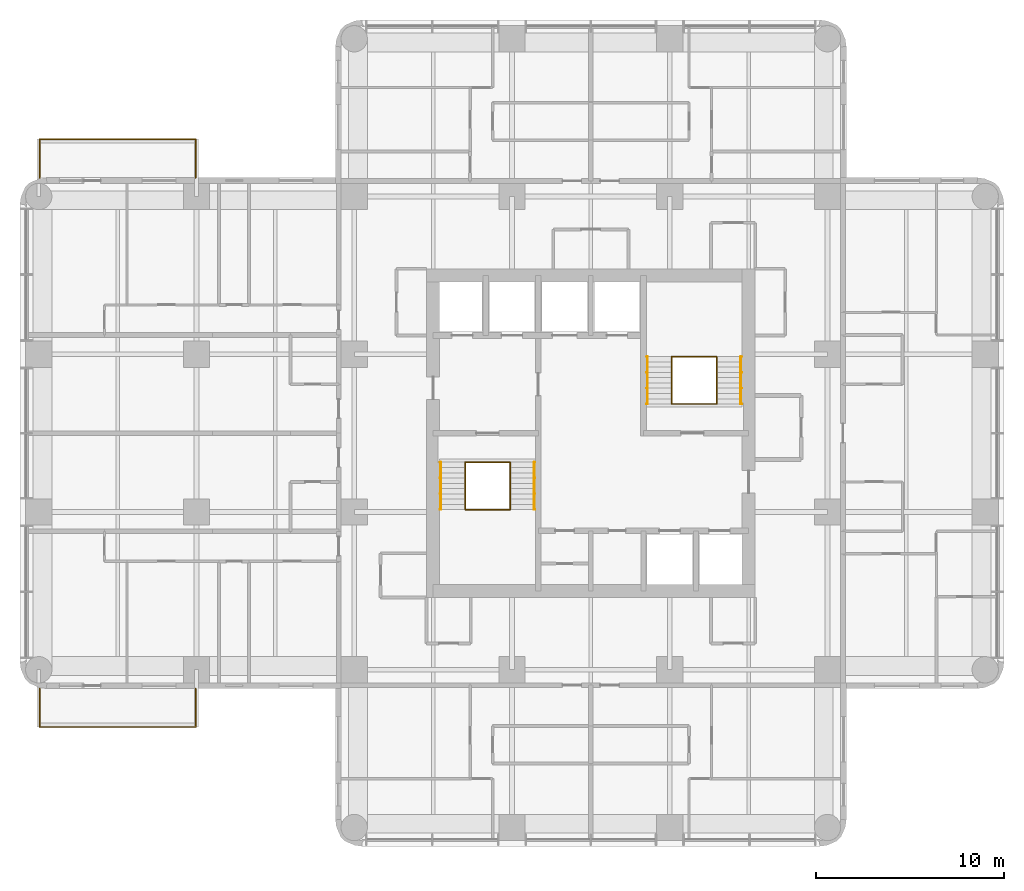
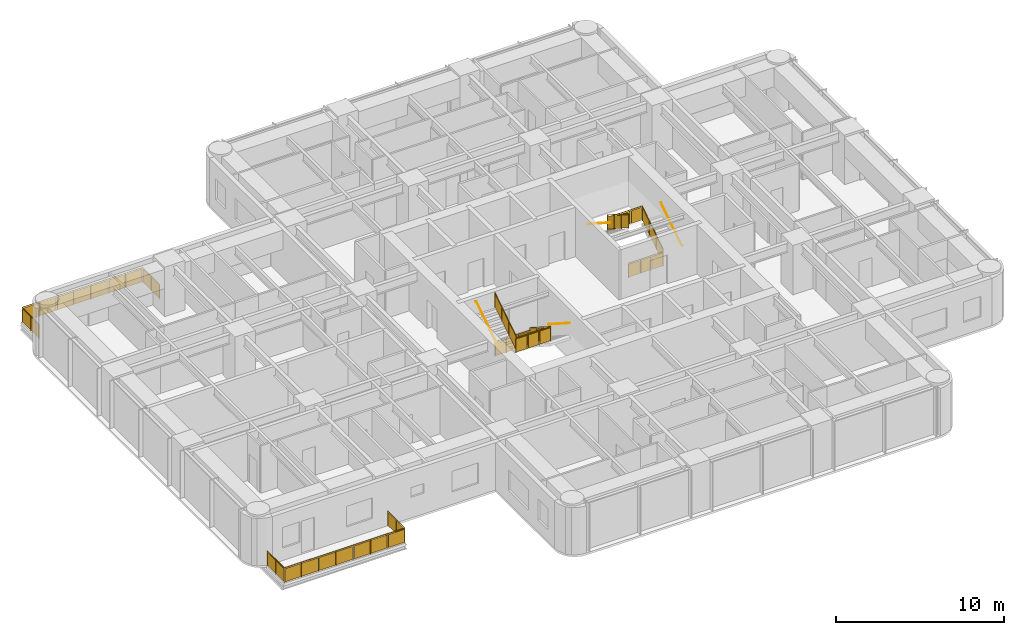
# One storey, part 11 of 11: 14 railings.
"""IFC4 building model written with IfcOpenShell, lengths in metres."""

import ifcopenshell
import ifcopenshell.guid

model = None  # the IFC model being written
_history = None  # IfcOwnerHistory: only IFC2X3 demands one
_inside = {}  # id of a spatial element -> (the spatial element, [elements in it])
_under = {}  # id of a project, library or spatial element -> (it, [spatial elements below it])
_declared = {}  # id of a project -> (the project, [libraries it declares])
_typed = {}  # id of a type object -> (the type object, [elements of that type])
_made_of = {}  # id of a material, layer set ... -> (it, [elements and type objects made of it])


def new_model(schema):
    """Start an empty IFC model of exactly this schema.

    Asked for "IFC4X3", IfcOpenShell would pick the latest addendum, in which some entities
    have other attributes; the version numbers below select the first issue.
    IFC2X3 requires an IfcOwnerHistory on every rooted entity: one is made here for all.
    """
    global model, _history
    if schema == "IFC4X3":
        model = ifcopenshell.file(schema_version=(4, 3, 0, 0))
    else:
        model = ifcopenshell.file(schema=schema)
    _inside.clear()
    _under.clear()
    _declared.clear()
    _typed.clear()
    _made_of.clear()
    _history = None
    if model.schema == "IFC2X3":
        org = make("IfcOrganization", Name="unknown")
        user = make(
            "IfcPersonAndOrganization",
            ThePerson=make("IfcPerson", FamilyName="unknown"),
            TheOrganization=org,
        )
        app = make(
            "IfcApplication",
            ApplicationDeveloper=org,
            Version="unknown",
            ApplicationFullName="unknown",
            ApplicationIdentifier="unknown",
        )
        _history = make(
            "IfcOwnerHistory",
            OwningUser=user,
            OwningApplication=app,
            ChangeAction="ADDED",
            CreationDate=0,
        )
    return model


def make(cls, **values):
    """One entity of the class cls with the attributes given. An attribute that is None is left unset."""
    return model.create_entity(
        cls, **{name: value for name, value in values.items() if value is not None}
    )


def rooted(cls, **values):
    """An entity with a GlobalId (a new one), such as an element, a storey or a relation."""
    return make(cls, GlobalId=ifcopenshell.guid.new(), OwnerHistory=_history, **values)


def si_unit(unit_type, name, prefix=None):
    """IfcSIUnit, for example si_unit("LENGTHUNIT", "METRE", prefix="MILLI")."""
    return make("IfcSIUnit", UnitType=unit_type, Prefix=prefix, Name=name)


def assignment(units):
    """IfcUnitAssignment: the units of a project."""
    return None if units is None else make("IfcUnitAssignment", Units=units)


def point(xyz):
    """IfcCartesianPoint."""
    return None if xyz is None else make("IfcCartesianPoint", Coordinates=xyz)


def direction(xyz):
    """IfcDirection."""
    return None if xyz is None else make("IfcDirection", DirectionRatios=xyz)


def frame(location, z_axis=None, x_axis=None):
    """IfcAxis2Placement3D, a coordinate frame: its origin and axes. An axis left out is left unset."""
    return make(
        "IfcAxis2Placement3D",
        Location=point(location),
        Axis=direction(z_axis),
        RefDirection=direction(x_axis),
    )


def frame_2d(location, x_axis=None):
    """IfcAxis2Placement2D, a coordinate frame in the plane: its origin and x axis."""
    return make(
        "IfcAxis2Placement2D", Location=point(location), RefDirection=direction(x_axis)
    )


def origin():
    """The frame at (0, 0, 0) with its axes left unset."""
    return frame((0.0, 0.0, 0.0))


def origin_2d():
    """The frame at (0, 0) in the plane with its x axis left unset."""
    return frame_2d((0.0, 0.0))


def place(relative_to, where):
    """IfcLocalPlacement: puts the frame where relative to a parent placement (None: the world)."""
    return make(
        "IfcLocalPlacement", PlacementRelTo=relative_to, RelativePlacement=where
    )


def context(
    kind, dimensions, precision=None, world=None, true_north=None, identifier=None
):
    """IfcGeometricRepresentationContext, for example the 3D "Model" context."""
    return make(
        "IfcGeometricRepresentationContext",
        ContextIdentifier=identifier,
        ContextType=kind,
        CoordinateSpaceDimension=dimensions,
        Precision=precision,
        WorldCoordinateSystem=world,
        TrueNorth=true_north,
    )


def subcontext(parent, identifier, kind, view, scale=None):
    """IfcGeometricRepresentationSubContext, for example "Body" below "Model"."""
    return make(
        "IfcGeometricRepresentationSubContext",
        ContextIdentifier=identifier,
        ContextType=kind,
        ParentContext=parent,
        TargetScale=scale,
        TargetView=view,
    )


def project(units=None, contexts=None):
    """IfcProject with its units and contexts."""
    return rooted(
        "IfcProject",
        Name="project",
        RepresentationContexts=contexts,
        UnitsInContext=assignment(units),
    )


def spatial(cls, under=None, at=None, **own):
    """A site, building, storey or space (cls), placed at a placement, below another one or the project."""
    s = rooted(cls, ObjectPlacement=at, **own)
    if under is not None:
        _under.setdefault(under.id(), (under, []))[1].append(s)
    return s


def polyline(points):
    """IfcPolyline through the points."""
    return make("IfcPolyline", Points=[point(p) for p in points])


def profile(cls, at=None, kind="AREA", **sizes):
    """A parametric profile (cls). Its sizes go by their IFC names, for example OverallWidth=200.0."""
    return make(cls, ProfileType=kind, Position=at, **sizes)


def circle(**sizes):
    """IfcCircleProfileDef."""
    return profile("IfcCircleProfileDef", **sizes)


def outline(outer, holes=None, kind="AREA"):
    """IfcArbitraryClosedProfileDef: a profile drawn as a closed curve; with holes, ...WithVoids."""
    if holes is None:
        return make("IfcArbitraryClosedProfileDef", ProfileType=kind, OuterCurve=outer)
    return make(
        "IfcArbitraryProfileDefWithVoids",
        ProfileType=kind,
        OuterCurve=outer,
        InnerCurves=holes,
    )


def extrude(swept, where, along, depth):
    """IfcExtrudedAreaSolid: the profile swept, set in the frame where, extruded along a direction by depth."""
    return make(
        "IfcExtrudedAreaSolid",
        SweptArea=swept,
        Position=where,
        ExtrudedDirection=direction(along),
        Depth=depth,
    )


def shape(context_of_items, identifier, shape_type, items):
    """IfcShapeRepresentation: the items that make up one representation, for example the "Body"."""
    return make(
        "IfcShapeRepresentation",
        ContextOfItems=context_of_items,
        RepresentationIdentifier=identifier,
        RepresentationType=shape_type,
        Items=items,
    )


def material(Name=None, Category=None):
    """IfcMaterial."""
    return make("IfcMaterial", Name=Name, Category=Category)


def constituent(of_material, Name=None, Category=None, fraction=None):
    """IfcMaterialConstituent: one of the materials an element consists of."""
    return make(
        "IfcMaterialConstituent",
        Name=Name,
        Material=of_material,
        Fraction=fraction,
        Category=Category,
    )


def constituent_set(constituents=None, Name=None):
    """IfcMaterialConstituentSet."""
    return make(
        "IfcMaterialConstituentSet", Name=Name, MaterialConstituents=constituents
    )


def made_of(thing, what):
    """Note that an element or type object is made of a material, layer set ...; save() writes the relation."""
    if what is not None:
        _made_of.setdefault(what.id(), (what, []))[1].append(thing)
    return thing


def type_object(cls, material=None, **own):
    """A type object (cls), such as IfcWallType, which elements share."""
    return made_of(rooted(cls, **own), material)


def element(
    cls,
    number,
    at=None,
    inside=None,
    cuts=None,
    type_object=None,
    material=None,
    context=None,
    identifier="Body",
    shape_type=None,
    held_by="IfcProductDefinitionShape",
    body=None,
    shapes=None,
    **own,
):
    """One element of the class cls, such as IfcWall. Its Tag is "e" and its number.

    at: its placement. inside: the storey or other place that contains it. cuts: it is an
    opening in that element (IfcRelVoidsElement). A single representation is given by context,
    identifier, shape_type and body (its items); several are given by shapes. held_by: the class
    of the entity that holds the representations. save() writes the other relations.
    """
    e = rooted(cls, Tag="e%d" % number, ObjectPlacement=at, **own)
    if body is not None:
        shapes = [shape(context, identifier, shape_type, body)]
    if shapes is not None:
        e.Representation = make(held_by, Representations=shapes)
    if inside is not None:
        _inside.setdefault(inside.id(), (inside, []))[1].append(e)
    if cuts is not None:
        rooted(
            "IfcRelVoidsElement", RelatingBuildingElement=cuts, RelatedOpeningElement=e
        )
    if type_object is not None:
        _typed.setdefault(type_object.id(), (type_object, []))[1].append(e)
    return made_of(e, material)


def aggregate(whole, parts):
    """IfcRelAggregates: a whole, such as a stair, and the parts it consists of."""
    return rooted("IfcRelAggregates", RelatingObject=whole, RelatedObjects=parts)


def save(model, path):
    """Write the relations noted so far, then the file.

    IfcRelAggregates (storeys below a building ...), IfcRelContainedInSpatialStructure (elements
    in a storey), IfcRelDefinesByType, IfcRelAssociatesMaterial and IfcRelDeclares: one each for
    every whole, place, type object, material and project.
    """
    for whole, parts in _under.values():
        aggregate(whole, parts)
    for where, things in _inside.values():
        rooted(
            "IfcRelContainedInSpatialStructure",
            RelatedElements=things,
            RelatingStructure=where,
        )
    for kind, things in _typed.values():
        rooted("IfcRelDefinesByType", RelatedObjects=things, RelatingType=kind)
    for what, things in _made_of.values():
        rooted("IfcRelAssociatesMaterial", RelatedObjects=things, RelatingMaterial=what)
    for by, libraries in _declared.values():
        rooted("IfcRelDeclares", RelatingContext=by, RelatedDefinitions=libraries)
    model.write(path)


model = new_model("IFC4")

# Units and contexts
model_context = context("Model", 3, precision=1e-05, world=origin(), true_north=direction((0.0, 1.0)))
body_context = subcontext(model_context, "Body", "Model", "MODEL_VIEW")
ifc_project = project(units=[si_unit("LENGTHUNIT", "METRE"), si_unit("AREAUNIT", "SQUARE_METRE"), si_unit("VOLUMEUNIT", "CUBIC_METRE"), si_unit("PLANEANGLEUNIT", "RADIAN"), si_unit("MASSUNIT", "GRAM", prefix="KILO")], contexts=[model_context])

# Site, building, storey
site_placement = place(None, origin())
site = spatial("IfcSite", under=ifc_project, at=site_placement, CompositionType="ELEMENT")
building_placement = place(site_placement, origin())
building = spatial("IfcBuilding", under=site, at=building_placement, Name="Torre Alcanfor", CompositionType="ELEMENT")
storey_placement = place(building_placement, frame((0.0, 0.0, 215.699951171875)))
storey = spatial("IfcBuildingStorey", under=building, at=storey_placement, Name="L56", CompositionType="ELEMENT", Elevation=215.699951171875)

# Railings
ifc_material_1 = material(Name="Laminated safety glass", Category="glass")
ifc_constituent_1 = constituent(ifc_material_1, Name="Infill")
ifc_material_2 = material(Name="Stainless steel ASTM A554 Grade MT 316L tube", Category="steel")
ifc_constituent_2 = constituent(ifc_material_2, Name="Posts and rail")
ifc_constituent_set = constituent_set(constituents=[ifc_constituent_1, ifc_constituent_2], Name="Balcony guard glass 1100")
railing_type_1 = type_object("IfcRailingType", Name="Balcony guard glass 1100", PredefinedType="BALUSTRADE", material=ifc_constituent_set)
railing_1_placement = place(storey_placement, frame((8.35009765625, 15.800048828125, 0.0)))
element("IfcRailing", 1, at=railing_1_placement, inside=storey, type_object=railing_type_1, Name="Balcony guard L56-W1", PredefinedType="BALUSTRADE", context=body_context, shape_type="SweptSolid", body=[
    extrude(circle(Radius=0.02392578125, at=origin_2d()), frame((0.0, 0.0, 1.076171875), z_axis=(0.0, -1.0, 0.0), x_axis=(1.0, 0.0, 0.0)), (0.0, 0.0, 1.0), 2.050048828125),
    extrude(circle(Radius=0.02392578125, at=origin_2d()), frame((0.0, -2.050048828125, 1.076171875), z_axis=(-1.0, 0.0, 0.0), x_axis=(0.0, -1.0, 0.0)), (0.0, 0.0, 1.0), 8.300048828125),
    extrude(circle(Radius=0.02392578125, at=origin_2d()), frame((-8.300048828125, -2.050048828125, 1.076171875), z_axis=(0.0, 1.0, 0.0), x_axis=(-1.0, 0.0, 0.0)), (0.0, 0.0, 1.0), 2.050048828125),
    extrude(circle(Radius=0.02099609375, at=origin_2d()), origin(), (0.0, 0.0, 1.0), 1.052001953125),
    extrude(circle(Radius=0.02099609375, at=origin_2d()), frame((0.0, -1.02490234375, 0.0)), (0.0, 0.0, 1.0), 1.052001953125),
    extrude(circle(Radius=0.02099609375, at=origin_2d()), frame((0.0, -2.050048828125, 0.0)), (0.0, 0.0, 1.0), 1.052001953125),
    extrude(circle(Radius=0.02099609375, at=origin_2d()), frame((-1.185791015625, -2.050048828125, 0.0)), (0.0, 0.0, 1.0), 1.052001953125),
    extrude(circle(Radius=0.02099609375, at=origin_2d()), frame((-2.371337890625, -2.050048828125, 0.0)), (0.0, 0.0, 1.0), 1.052001953125),
    extrude(circle(Radius=0.02099609375, at=origin_2d()), frame((-3.55712890625, -2.050048828125, 0.0)), (0.0, 0.0, 1.0), 1.052001953125),
    extrude(circle(Radius=0.02099609375, at=origin_2d()), frame((-4.742919921875, -2.050048828125, 0.0)), (0.0, 0.0, 1.0), 1.052001953125),
    extrude(circle(Radius=0.02099609375, at=origin_2d()), frame((-5.9287109375, -2.050048828125, 0.0)), (0.0, 0.0, 1.0), 1.052001953125),
    extrude(circle(Radius=0.02099609375, at=origin_2d()), frame((-7.1142578125, -2.050048828125, 0.0)), (0.0, 0.0, 1.0), 1.052001953125),
    extrude(circle(Radius=0.02099609375, at=origin_2d()), frame((-8.300048828125, -2.050048828125, 0.0)), (0.0, 0.0, 1.0), 1.052001953125),
    extrude(circle(Radius=0.02099609375, at=origin_2d()), frame((-8.300048828125, -1.02490234375, 0.0)), (0.0, 0.0, 1.0), 1.052001953125),
    extrude(circle(Radius=0.02099609375, at=origin_2d()), frame((-8.300048828125, 0.0, 0.0)), (0.0, 0.0, 1.0), 1.052001953125),
    extrude(outline(polyline([(0.041015625, 0.050048828125), (0.984130859375, 0.050048828125), (0.984130859375, 1.001953125), (0.041015625, 1.001953125), (0.041015625, 0.050048828125)])), frame((0.005859375, 0.0, 0.0), z_axis=(-1.0, 0.0, 0.0), x_axis=(0.0, -1.0, 0.0)), (0.0, 0.0, 1.0), 0.011962890625),
    extrude(outline(polyline([(1.06591796875, 0.050048828125), (2.009033203125, 0.050048828125), (2.009033203125, 1.001953125), (1.06591796875, 1.001953125), (1.06591796875, 0.050048828125)])), frame((0.005859375, 0.0, 0.0), z_axis=(-1.0, 0.0, 0.0), x_axis=(0.0, -1.0, 0.0)), (0.0, 0.0, 1.0), 0.011962890625),
    extrude(outline(polyline([(0.041015625, 0.050048828125), (1.144775390625, 0.050048828125), (1.144775390625, 1.001953125), (0.041015625, 1.001953125), (0.041015625, 0.050048828125)])), frame((0.0, -2.05615234375, 0.0), z_axis=(0.0, 1.0, 0.0), x_axis=(-1.0, 0.0, 0.0)), (0.0, 0.0, 1.0), 0.011962890625),
    extrude(outline(polyline([(1.226806640625, 0.050048828125), (2.330322265625, 0.050048828125), (2.330322265625, 1.001953125), (1.226806640625, 1.001953125), (1.226806640625, 0.050048828125)])), frame((0.0, -2.05615234375, 0.0), z_axis=(0.0, 1.0, 0.0), x_axis=(-1.0, 0.0, 0.0)), (0.0, 0.0, 1.0), 0.011962890625),
    extrude(outline(polyline([(2.412353515625, 0.050048828125), (3.51611328125, 0.050048828125), (3.51611328125, 1.001953125), (2.412353515625, 1.001953125), (2.412353515625, 0.050048828125)])), frame((0.0, -2.05615234375, 0.0), z_axis=(0.0, 1.0, 0.0), x_axis=(-1.0, 0.0, 0.0)), (0.0, 0.0, 1.0), 0.011962890625),
    extrude(outline(polyline([(3.59814453125, 0.050048828125), (4.701904296875, 0.050048828125), (4.701904296875, 1.001953125), (3.59814453125, 1.001953125), (3.59814453125, 0.050048828125)])), frame((0.0, -2.05615234375, 0.0), z_axis=(0.0, 1.0, 0.0), x_axis=(-1.0, 0.0, 0.0)), (0.0, 0.0, 1.0), 0.011962890625),
    extrude(outline(polyline([(4.783935546875, 0.050048828125), (5.8876953125, 0.050048828125), (5.8876953125, 1.001953125), (4.783935546875, 1.001953125), (4.783935546875, 0.050048828125)])), frame((0.0, -2.05615234375, 0.0), z_axis=(0.0, 1.0, 0.0), x_axis=(-1.0, 0.0, 0.0)), (0.0, 0.0, 1.0), 0.011962890625),
    extrude(outline(polyline([(5.9697265625, 0.050048828125), (7.0732421875, 0.050048828125), (7.0732421875, 1.001953125), (5.9697265625, 1.001953125), (5.9697265625, 0.050048828125)])), frame((0.0, -2.05615234375, 0.0), z_axis=(0.0, 1.0, 0.0), x_axis=(-1.0, 0.0, 0.0)), (0.0, 0.0, 1.0), 0.011962890625),
    extrude(outline(polyline([(7.1552734375, 0.050048828125), (8.259033203125, 0.050048828125), (8.259033203125, 1.001953125), (7.1552734375, 1.001953125), (7.1552734375, 0.050048828125)])), frame((0.0, -2.05615234375, 0.0), z_axis=(0.0, 1.0, 0.0), x_axis=(-1.0, 0.0, 0.0)), (0.0, 0.0, 1.0), 0.011962890625),
    extrude(outline(polyline([(0.041015625, 0.050048828125), (0.984130859375, 0.050048828125), (0.984130859375, 1.001953125), (0.041015625, 1.001953125), (0.041015625, 0.050048828125)])), frame((-8.30615234375, -2.050048828125, 0.0), z_axis=(1.0, 0.0, 0.0), x_axis=(0.0, 1.0, 0.0)), (0.0, 0.0, 1.0), 0.011962890625),
    extrude(outline(polyline([(1.06591796875, 0.050048828125), (2.009033203125, 0.050048828125), (2.009033203125, 1.001953125), (1.06591796875, 1.001953125), (1.06591796875, 0.050048828125)])), frame((-8.30615234375, -2.050048828125, 0.0), z_axis=(1.0, 0.0, 0.0), x_axis=(0.0, 1.0, 0.0)), (0.0, 0.0, 1.0), 0.011962890625),
])
railing_2_placement = place(storey_placement, frame((8.35009765625, 43.0, 0.0)))
element("IfcRailing", 2, at=railing_2_placement, inside=storey, type_object=railing_type_1, Name="Balcony guard L56-W2", PredefinedType="BALUSTRADE", context=body_context, shape_type="SweptSolid", body=[
    extrude(circle(Radius=0.02392578125, at=origin_2d()), frame((0.0, 0.0, 1.076171875), z_axis=(0.0, 1.0, 0.0), x_axis=(-1.0, 0.0, 0.0)), (0.0, 0.0, 1.0), 2.050048828125),
    extrude(circle(Radius=0.02392578125, at=origin_2d()), frame((0.0, 2.050048828125, 1.076171875), z_axis=(-1.0, 0.0, 0.0), x_axis=(0.0, -1.0, 0.0)), (0.0, 0.0, 1.0), 8.300048828125),
    extrude(circle(Radius=0.02392578125, at=origin_2d()), frame((-8.300048828125, 2.050048828125, 1.076171875), z_axis=(0.0, -1.0, 0.0), x_axis=(1.0, 0.0, 0.0)), (0.0, 0.0, 1.0), 2.050048828125),
    extrude(circle(Radius=0.02099609375, at=origin_2d()), origin(), (0.0, 0.0, 1.0), 1.052001953125),
    extrude(circle(Radius=0.02099609375, at=origin_2d()), frame((0.0, 1.02490234375, 0.0)), (0.0, 0.0, 1.0), 1.052001953125),
    extrude(circle(Radius=0.02099609375, at=origin_2d()), frame((0.0, 2.050048828125, 0.0)), (0.0, 0.0, 1.0), 1.052001953125),
    extrude(circle(Radius=0.02099609375, at=origin_2d()), frame((-1.185791015625, 2.050048828125, 0.0)), (0.0, 0.0, 1.0), 1.052001953125),
    extrude(circle(Radius=0.02099609375, at=origin_2d()), frame((-2.371337890625, 2.050048828125, 0.0)), (0.0, 0.0, 1.0), 1.052001953125),
    extrude(circle(Radius=0.02099609375, at=origin_2d()), frame((-3.55712890625, 2.050048828125, 0.0)), (0.0, 0.0, 1.0), 1.052001953125),
    extrude(circle(Radius=0.02099609375, at=origin_2d()), frame((-4.742919921875, 2.050048828125, 0.0)), (0.0, 0.0, 1.0), 1.052001953125),
    extrude(circle(Radius=0.02099609375, at=origin_2d()), frame((-5.9287109375, 2.050048828125, 0.0)), (0.0, 0.0, 1.0), 1.052001953125),
    extrude(circle(Radius=0.02099609375, at=origin_2d()), frame((-7.1142578125, 2.050048828125, 0.0)), (0.0, 0.0, 1.0), 1.052001953125),
    extrude(circle(Radius=0.02099609375, at=origin_2d()), frame((-8.300048828125, 2.050048828125, 0.0)), (0.0, 0.0, 1.0), 1.052001953125),
    extrude(circle(Radius=0.02099609375, at=origin_2d()), frame((-8.300048828125, 1.02490234375, 0.0)), (0.0, 0.0, 1.0), 1.052001953125),
    extrude(circle(Radius=0.02099609375, at=origin_2d()), frame((-8.300048828125, 0.0, 0.0)), (0.0, 0.0, 1.0), 1.052001953125),
    extrude(outline(polyline([(0.041015625, 0.050048828125), (0.984130859375, 0.050048828125), (0.984130859375, 1.001953125), (0.041015625, 1.001953125), (0.041015625, 0.050048828125)])), frame((-0.005859375, 0.0, 0.0), z_axis=(1.0, 0.0, 0.0), x_axis=(0.0, 1.0, 0.0)), (0.0, 0.0, 1.0), 0.011962890625),
    extrude(outline(polyline([(1.06591796875, 0.050048828125), (2.009033203125, 0.050048828125), (2.009033203125, 1.001953125), (1.06591796875, 1.001953125), (1.06591796875, 0.050048828125)])), frame((-0.005859375, 0.0, 0.0), z_axis=(1.0, 0.0, 0.0), x_axis=(0.0, 1.0, 0.0)), (0.0, 0.0, 1.0), 0.011962890625),
    extrude(outline(polyline([(0.041015625, 0.050048828125), (1.144775390625, 0.050048828125), (1.144775390625, 1.001953125), (0.041015625, 1.001953125), (0.041015625, 0.050048828125)])), frame((0.0, 2.0439453125, 0.0), z_axis=(0.0, 1.0, 0.0), x_axis=(-1.0, 0.0, 0.0)), (0.0, 0.0, 1.0), 0.011962890625),
    extrude(outline(polyline([(1.226806640625, 0.050048828125), (2.330322265625, 0.050048828125), (2.330322265625, 1.001953125), (1.226806640625, 1.001953125), (1.226806640625, 0.050048828125)])), frame((0.0, 2.0439453125, 0.0), z_axis=(0.0, 1.0, 0.0), x_axis=(-1.0, 0.0, 0.0)), (0.0, 0.0, 1.0), 0.011962890625),
    extrude(outline(polyline([(2.412353515625, 0.050048828125), (3.51611328125, 0.050048828125), (3.51611328125, 1.001953125), (2.412353515625, 1.001953125), (2.412353515625, 0.050048828125)])), frame((0.0, 2.0439453125, 0.0), z_axis=(0.0, 1.0, 0.0), x_axis=(-1.0, 0.0, 0.0)), (0.0, 0.0, 1.0), 0.011962890625),
    extrude(outline(polyline([(3.59814453125, 0.050048828125), (4.701904296875, 0.050048828125), (4.701904296875, 1.001953125), (3.59814453125, 1.001953125), (3.59814453125, 0.050048828125)])), frame((0.0, 2.0439453125, 0.0), z_axis=(0.0, 1.0, 0.0), x_axis=(-1.0, 0.0, 0.0)), (0.0, 0.0, 1.0), 0.011962890625),
    extrude(outline(polyline([(4.783935546875, 0.050048828125), (5.8876953125, 0.050048828125), (5.8876953125, 1.001953125), (4.783935546875, 1.001953125), (4.783935546875, 0.050048828125)])), frame((0.0, 2.0439453125, 0.0), z_axis=(0.0, 1.0, 0.0), x_axis=(-1.0, 0.0, 0.0)), (0.0, 0.0, 1.0), 0.011962890625),
    extrude(outline(polyline([(5.9697265625, 0.050048828125), (7.0732421875, 0.050048828125), (7.0732421875, 1.001953125), (5.9697265625, 1.001953125), (5.9697265625, 0.050048828125)])), frame((0.0, 2.0439453125, 0.0), z_axis=(0.0, 1.0, 0.0), x_axis=(-1.0, 0.0, 0.0)), (0.0, 0.0, 1.0), 0.011962890625),
    extrude(outline(polyline([(7.1552734375, 0.050048828125), (8.259033203125, 0.050048828125), (8.259033203125, 1.001953125), (7.1552734375, 1.001953125), (7.1552734375, 0.050048828125)])), frame((0.0, 2.0439453125, 0.0), z_axis=(0.0, 1.0, 0.0), x_axis=(-1.0, 0.0, 0.0)), (0.0, 0.0, 1.0), 0.011962890625),
    extrude(outline(polyline([(0.041015625, 0.050048828125), (0.984130859375, 0.050048828125), (0.984130859375, 1.001953125), (0.041015625, 1.001953125), (0.041015625, 0.050048828125)])), frame((-8.2939453125, 2.050048828125, 0.0), z_axis=(-1.0, 0.0, 0.0), x_axis=(0.0, -1.0, 0.0)), (0.0, 0.0, 1.0), 0.011962890625),
    extrude(outline(polyline([(1.06591796875, 0.050048828125), (2.009033203125, 0.050048828125), (2.009033203125, 1.001953125), (1.06591796875, 1.001953125), (1.06591796875, 0.050048828125)])), frame((-8.2939453125, 2.050048828125, 0.0), z_axis=(-1.0, 0.0, 0.0), x_axis=(0.0, -1.0, 0.0)), (0.0, 0.0, 1.0), 0.011962890625),
])
ifc_material_3 = material(Name="Steel ASTM A500 Grade C hollow sections", Category="steel")
railing_type_2 = type_object("IfcRailingType", Name="Stair guard and handrail 1100", PredefinedType="GUARDRAIL", material=ifc_material_3)
railing_3_placement = place(storey_placement, frame((25.10009765625, 27.85009765625, 0.179931640625)))
element("IfcRailing", 3, at=railing_3_placement, inside=storey, type_object=railing_type_2, Name="Stair guard S1 L56 flight 1", PredefinedType="GUARDRAIL", context=body_context, shape_type="SweptSolid", body=[
    extrude(circle(Radius=0.02392578125, at=origin_2d()), frame((0.0, 0.0, 1.076171875), z_axis=(0.0, -0.841162588446, 0.540782303519), x_axis=(1.0, 0.0, 0.0)), (0.0, 0.0, 1.0), 2.995849609375),
    extrude(circle(Radius=0.02099609375, at=origin_2d()), origin(), (0.0, 0.0, 1.0), 1.052001953125),
    extrude(circle(Radius=0.02099609375, at=origin_2d()), frame((0.0, -0.840087890625, 0.5400390625)), (0.0, 0.0, 1.0), 1.052001953125),
    extrude(circle(Radius=0.02099609375, at=origin_2d()), frame((0.0, -1.679931640625, 1.080078125)), (0.0, 0.0, 1.0), 1.052001953125),
    extrude(circle(Radius=0.02099609375, at=origin_2d()), frame((0.0, -2.52001953125, 1.6201171875)), (0.0, 0.0, 1.0), 1.052001953125),
    extrude(outline(polyline([(0.041015625, 0.076416015625), (0.799072265625, 0.563720703125), (0.799072265625, 1.515625), (0.041015625, 1.0283203125), (0.041015625, 0.076416015625)])), frame((0.005859375, 0.0, 0.0), z_axis=(-1.0, 0.0, 0.0), x_axis=(0.0, -1.0, 0.0)), (0.0, 0.0, 1.0), 0.011962890625),
    extrude(outline(polyline([(0.881103515625, 0.616455078125), (1.638916015625, 1.103759765625), (1.638916015625, 2.0556640625), (0.881103515625, 1.568359375), (0.881103515625, 0.616455078125)])), frame((0.005859375, 0.0, 0.0), z_axis=(-1.0, 0.0, 0.0), x_axis=(0.0, -1.0, 0.0)), (0.0, 0.0, 1.0), 0.011962890625),
    extrude(outline(polyline([(1.720947265625, 1.156494140625), (2.47900390625, 1.643798828125), (2.47900390625, 2.595703125), (1.720947265625, 2.1083984375), (1.720947265625, 1.156494140625)])), frame((0.005859375, 0.0, 0.0), z_axis=(-1.0, 0.0, 0.0), x_axis=(0.0, -1.0, 0.0)), (0.0, 0.0, 1.0), 0.011962890625),
])
railing_4_placement = place(storey_placement, frame((22.699951171875, 25.330078125, 1.97998046875)))
element("IfcRailing", 4, at=railing_4_placement, inside=storey, type_object=railing_type_2, Name="Stair guard S1 L56 flight 2", PredefinedType="GUARDRAIL", context=body_context, shape_type="SweptSolid", body=[
    extrude(circle(Radius=0.02392578125, at=origin_2d()), frame((0.0, 0.0, 1.076171875), z_axis=(0.0, 0.841162588446, 0.540782303519), x_axis=(-1.0, 0.0, 0.0)), (0.0, 0.0, 1.0), 2.995849609375),
    extrude(circle(Radius=0.02099609375, at=origin_2d()), origin(), (0.0, 0.0, 1.0), 1.052001953125),
    extrude(circle(Radius=0.02099609375, at=origin_2d()), frame((0.0, 0.840087890625, 0.5400390625)), (0.0, 0.0, 1.0), 1.052001953125),
    extrude(circle(Radius=0.02099609375, at=origin_2d()), frame((0.0, 1.679931640625, 1.080078125)), (0.0, 0.0, 1.0), 1.052001953125),
    extrude(circle(Radius=0.02099609375, at=origin_2d()), frame((0.0, 2.52001953125, 1.6201171875)), (0.0, 0.0, 1.0), 1.052001953125),
    extrude(outline(polyline([(0.041015625, 0.076416015625), (0.799072265625, 0.563720703125), (0.799072265625, 1.515625), (0.041015625, 1.0283203125), (0.041015625, 0.076416015625)])), frame((-0.005859375, 0.0, 0.0), z_axis=(1.0, 0.0, 0.0), x_axis=(0.0, 1.0, 0.0)), (0.0, 0.0, 1.0), 0.011962890625),
    extrude(outline(polyline([(0.881103515625, 0.616455078125), (1.638916015625, 1.103759765625), (1.638916015625, 2.0556640625), (0.881103515625, 1.568359375), (0.881103515625, 0.616455078125)])), frame((-0.005859375, 0.0, 0.0), z_axis=(1.0, 0.0, 0.0), x_axis=(0.0, 1.0, 0.0)), (0.0, 0.0, 1.0), 0.011962890625),
    extrude(outline(polyline([(1.720947265625, 1.156494140625), (2.47900390625, 1.643798828125), (2.47900390625, 2.595703125), (1.720947265625, 2.1083984375), (1.720947265625, 1.156494140625)])), frame((-0.005859375, 0.0, 0.0), z_axis=(1.0, 0.0, 0.0), x_axis=(0.0, 1.0, 0.0)), (0.0, 0.0, 1.0), 0.011962890625),
])
for number, where, name in (
    (5, (22.699951171875, 27.85009765625, 0.0), "Stair well guard S1 L56 floor landing"),
    (6, (22.699951171875, 25.330078125, 1.800048828125), "Stair well guard S1 L56 half landing"),
):
    element("IfcRailing", number, at=place(storey_placement, frame(where)), inside=storey, type_object=railing_type_2, Name=name, PredefinedType="GUARDRAIL", context=body_context, shape_type="SweptSolid", body=[
        extrude(circle(Radius=0.02392578125, at=origin_2d()), frame((0.0, 0.0, 1.076171875), z_axis=(1.0, 0.0, 0.0), x_axis=(0.0, 1.0, 0.0)), (0.0, 0.0, 1.0), 2.400146484375),
        extrude(circle(Radius=0.02099609375, at=origin_2d()), origin(), (0.0, 0.0, 1.0), 1.052001953125),
        extrude(circle(Radius=0.02099609375, at=origin_2d()), frame((0.800048828125, 0.0, 0.0)), (0.0, 0.0, 1.0), 1.052001953125),
        extrude(circle(Radius=0.02099609375, at=origin_2d()), frame((1.60009765625, 0.0, 0.0)), (0.0, 0.0, 1.0), 1.052001953125),
        extrude(circle(Radius=0.02099609375, at=origin_2d()), frame((2.400146484375, 0.0, 0.0)), (0.0, 0.0, 1.0), 1.052001953125),
        extrude(outline(polyline([(0.041015625, 0.050048828125), (0.759033203125, 0.050048828125), (0.759033203125, 1.001953125), (0.041015625, 1.001953125), (0.041015625, 0.050048828125)])), frame((0.0, 0.005859375, 0.0), z_axis=(0.0, -1.0, 0.0), x_axis=(1.0, 0.0, 0.0)), (0.0, 0.0, 1.0), 0.011962890625),
        extrude(outline(polyline([(0.841064453125, 0.050048828125), (1.55908203125, 0.050048828125), (1.55908203125, 1.001953125), (0.841064453125, 1.001953125), (0.841064453125, 0.050048828125)])), frame((0.0, 0.005859375, 0.0), z_axis=(0.0, -1.0, 0.0), x_axis=(1.0, 0.0, 0.0)), (0.0, 0.0, 1.0), 0.011962890625),
        extrude(outline(polyline([(1.64111328125, 0.050048828125), (2.359130859375, 0.050048828125), (2.359130859375, 1.001953125), (1.64111328125, 1.001953125), (1.64111328125, 0.050048828125)])), frame((0.0, 0.005859375, 0.0), z_axis=(0.0, -1.0, 0.0), x_axis=(1.0, 0.0, 0.0)), (0.0, 0.0, 1.0), 0.011962890625),
    ])
railing_5_placement = place(storey_placement, frame((36.10009765625, 30.949951171875, 0.179931640625)))
element("IfcRailing", 7, at=railing_5_placement, inside=storey, type_object=railing_type_2, Name="Stair guard S2 L56 flight 1", PredefinedType="GUARDRAIL", context=body_context, shape_type="SweptSolid", body=[
    extrude(circle(Radius=0.02392578125, at=origin_2d()), frame((0.0, 0.0, 1.076171875), z_axis=(0.0, 0.841162588446, 0.540782303519), x_axis=(-1.0, 0.0, 0.0)), (0.0, 0.0, 1.0), 2.995849609375),
    extrude(circle(Radius=0.02099609375, at=origin_2d()), origin(), (0.0, 0.0, 1.0), 1.052001953125),
    extrude(circle(Radius=0.02099609375, at=origin_2d()), frame((0.0, 0.840087890625, 0.5400390625)), (0.0, 0.0, 1.0), 1.052001953125),
    extrude(circle(Radius=0.02099609375, at=origin_2d()), frame((0.0, 1.679931640625, 1.080078125)), (0.0, 0.0, 1.0), 1.052001953125),
    extrude(circle(Radius=0.02099609375, at=origin_2d()), frame((0.0, 2.52001953125, 1.6201171875)), (0.0, 0.0, 1.0), 1.052001953125),
    extrude(outline(polyline([(0.041015625, 0.076416015625), (0.799072265625, 0.563720703125), (0.799072265625, 1.515625), (0.041015625, 1.0283203125), (0.041015625, 0.076416015625)])), frame((-0.005859375, 0.0, 0.0), z_axis=(1.0, 0.0, 0.0), x_axis=(0.0, 1.0, 0.0)), (0.0, 0.0, 1.0), 0.011962890625),
    extrude(outline(polyline([(0.881103515625, 0.616455078125), (1.638916015625, 1.103759765625), (1.638916015625, 2.0556640625), (0.881103515625, 1.568359375), (0.881103515625, 0.616455078125)])), frame((-0.005859375, 0.0, 0.0), z_axis=(1.0, 0.0, 0.0), x_axis=(0.0, 1.0, 0.0)), (0.0, 0.0, 1.0), 0.011962890625),
    extrude(outline(polyline([(1.720947265625, 1.156494140625), (2.47900390625, 1.643798828125), (2.47900390625, 2.595703125), (1.720947265625, 2.1083984375), (1.720947265625, 1.156494140625)])), frame((-0.005859375, 0.0, 0.0), z_axis=(1.0, 0.0, 0.0), x_axis=(0.0, 1.0, 0.0)), (0.0, 0.0, 1.0), 0.011962890625),
])
railing_6_placement = place(storey_placement, frame((33.699951171875, 33.469970703125, 1.97998046875)))
element("IfcRailing", 8, at=railing_6_placement, inside=storey, type_object=railing_type_2, Name="Stair guard S2 L56 flight 2", PredefinedType="GUARDRAIL", context=body_context, shape_type="SweptSolid", body=[
    extrude(circle(Radius=0.02392578125, at=origin_2d()), frame((0.0, 0.0, 1.076171875), z_axis=(0.0, -0.841162588446, 0.540782303519), x_axis=(1.0, 0.0, 0.0)), (0.0, 0.0, 1.0), 2.995849609375),
    extrude(circle(Radius=0.02099609375, at=origin_2d()), origin(), (0.0, 0.0, 1.0), 1.052001953125),
    extrude(circle(Radius=0.02099609375, at=origin_2d()), frame((0.0, -0.840087890625, 0.5400390625)), (0.0, 0.0, 1.0), 1.052001953125),
    extrude(circle(Radius=0.02099609375, at=origin_2d()), frame((0.0, -1.679931640625, 1.080078125)), (0.0, 0.0, 1.0), 1.052001953125),
    extrude(circle(Radius=0.02099609375, at=origin_2d()), frame((0.0, -2.52001953125, 1.6201171875)), (0.0, 0.0, 1.0), 1.052001953125),
    extrude(outline(polyline([(0.041015625, 0.076416015625), (0.799072265625, 0.563720703125), (0.799072265625, 1.515625), (0.041015625, 1.0283203125), (0.041015625, 0.076416015625)])), frame((0.005859375, 0.0, 0.0), z_axis=(-1.0, 0.0, 0.0), x_axis=(0.0, -1.0, 0.0)), (0.0, 0.0, 1.0), 0.011962890625),
    extrude(outline(polyline([(0.881103515625, 0.616455078125), (1.638916015625, 1.103759765625), (1.638916015625, 2.0556640625), (0.881103515625, 1.568359375), (0.881103515625, 0.616455078125)])), frame((0.005859375, 0.0, 0.0), z_axis=(-1.0, 0.0, 0.0), x_axis=(0.0, -1.0, 0.0)), (0.0, 0.0, 1.0), 0.011962890625),
    extrude(outline(polyline([(1.720947265625, 1.156494140625), (2.47900390625, 1.643798828125), (2.47900390625, 2.595703125), (1.720947265625, 2.1083984375), (1.720947265625, 1.156494140625)])), frame((0.005859375, 0.0, 0.0), z_axis=(-1.0, 0.0, 0.0), x_axis=(0.0, -1.0, 0.0)), (0.0, 0.0, 1.0), 0.011962890625),
])
for number, where, name in (
    (9, (33.699951171875, 30.949951171875, 0.0), "Stair well guard S2 L56 floor landing"),
    (10, (33.699951171875, 33.469970703125, 1.800048828125), "Stair well guard S2 L56 half landing"),
):
    element("IfcRailing", number, at=place(storey_placement, frame(where)), inside=storey, type_object=railing_type_2, Name=name, PredefinedType="GUARDRAIL", context=body_context, shape_type="SweptSolid", body=[
        extrude(circle(Radius=0.02392578125, at=origin_2d()), frame((0.0, 0.0, 1.076171875), z_axis=(1.0, 0.0, 0.0), x_axis=(0.0, 1.0, 0.0)), (0.0, 0.0, 1.0), 2.400146484375),
        extrude(circle(Radius=0.02099609375, at=origin_2d()), origin(), (0.0, 0.0, 1.0), 1.052001953125),
        extrude(circle(Radius=0.02099609375, at=origin_2d()), frame((0.800048828125, 0.0, 0.0)), (0.0, 0.0, 1.0), 1.052001953125),
        extrude(circle(Radius=0.02099609375, at=origin_2d()), frame((1.60009765625, 0.0, 0.0)), (0.0, 0.0, 1.0), 1.052001953125),
        extrude(circle(Radius=0.02099609375, at=origin_2d()), frame((2.400146484375, 0.0, 0.0)), (0.0, 0.0, 1.0), 1.052001953125),
        extrude(outline(polyline([(0.041015625, 0.050048828125), (0.759033203125, 0.050048828125), (0.759033203125, 1.001953125), (0.041015625, 1.001953125), (0.041015625, 0.050048828125)])), frame((0.0, 0.005859375, 0.0), z_axis=(0.0, -1.0, 0.0), x_axis=(1.0, 0.0, 0.0)), (0.0, 0.0, 1.0), 0.011962890625),
        extrude(outline(polyline([(0.841064453125, 0.050048828125), (1.55908203125, 0.050048828125), (1.55908203125, 1.001953125), (0.841064453125, 1.001953125), (0.841064453125, 0.050048828125)])), frame((0.0, 0.005859375, 0.0), z_axis=(0.0, -1.0, 0.0), x_axis=(1.0, 0.0, 0.0)), (0.0, 0.0, 1.0), 0.011962890625),
        extrude(outline(polyline([(1.64111328125, 0.050048828125), (2.359130859375, 0.050048828125), (2.359130859375, 1.001953125), (1.64111328125, 1.001953125), (1.64111328125, 0.050048828125)])), frame((0.0, 0.005859375, 0.0), z_axis=(0.0, -1.0, 0.0), x_axis=(1.0, 0.0, 0.0)), (0.0, 0.0, 1.0), 0.011962890625),
    ])
ifc_material_4 = material(Name="Steel ASTM A500 Grade C hollow sections", Category="steel")
railing_type_3 = type_object("IfcRailingType", Name="Stair wall handrail 900", PredefinedType="HANDRAIL", material=ifc_material_4)
railing_7_placement = place(storey_placement, frame((26.385009765625, 27.85009765625, 0.179931640625)))
element("IfcRailing", 11, at=railing_7_placement, inside=storey, type_object=railing_type_3, Name="Stair handrail S1 L56 flight 1", PredefinedType="HANDRAIL", context=body_context, shape_type="SweptSolid", body=[
    extrude(circle(Radius=0.02392578125, at=origin_2d()), frame((0.0, 0.0, 0.8759765625), z_axis=(0.0, -0.841162588446, 0.540782303519), x_axis=(1.0, 0.0, 0.0)), (0.0, 0.0, 1.0), 2.995849609375),
    extrude(circle(Radius=0.008056640625, at=origin_2d()), frame((0.0, 0.0, 0.8759765625), z_axis=(1.0, 0.0, 0.0), x_axis=(0.0, 0.0, 1.0)), (0.0, 0.0, 1.0), 0.06494140625),
    extrude(circle(Radius=0.008056640625, at=origin_2d()), frame((0.0, -0.840087890625, 1.416015625), z_axis=(1.0, 0.0, 0.0), x_axis=(0.0, 0.0, 1.0)), (0.0, 0.0, 1.0), 0.06494140625),
    extrude(circle(Radius=0.008056640625, at=origin_2d()), frame((0.0, -1.679931640625, 1.9560546875), z_axis=(1.0, 0.0, 0.0), x_axis=(0.0, 0.0, 1.0)), (0.0, 0.0, 1.0), 0.06494140625),
    extrude(circle(Radius=0.008056640625, at=origin_2d()), frame((0.0, -2.52001953125, 2.49609375), z_axis=(1.0, 0.0, 0.0), x_axis=(0.0, 0.0, 1.0)), (0.0, 0.0, 1.0), 0.06494140625),
])
railing_8_placement = place(storey_placement, frame((21.4150390625, 25.330078125, 1.97998046875)))
element("IfcRailing", 12, at=railing_8_placement, inside=storey, type_object=railing_type_3, Name="Stair handrail S1 L56 flight 2", PredefinedType="HANDRAIL", context=body_context, shape_type="SweptSolid", body=[
    extrude(circle(Radius=0.02392578125, at=origin_2d()), frame((0.0, 0.0, 0.8759765625), z_axis=(0.0, 0.841162588446, 0.540782303519), x_axis=(-1.0, 0.0, 0.0)), (0.0, 0.0, 1.0), 2.995849609375),
    extrude(circle(Radius=0.008056640625, at=origin_2d()), frame((0.0, 0.0, 0.8759765625), z_axis=(-1.0, 0.0, 0.0), x_axis=(0.0, 0.0, 1.0)), (0.0, 0.0, 1.0), 0.06494140625),
    extrude(circle(Radius=0.008056640625, at=origin_2d()), frame((0.0, 0.840087890625, 1.416015625), z_axis=(-1.0, 0.0, 0.0), x_axis=(0.0, 0.0, 1.0)), (0.0, 0.0, 1.0), 0.06494140625),
    extrude(circle(Radius=0.008056640625, at=origin_2d()), frame((0.0, 1.679931640625, 1.9560546875), z_axis=(-1.0, 0.0, 0.0), x_axis=(0.0, 0.0, 1.0)), (0.0, 0.0, 1.0), 0.06494140625),
    extrude(circle(Radius=0.008056640625, at=origin_2d()), frame((0.0, 2.52001953125, 2.49609375), z_axis=(-1.0, 0.0, 0.0), x_axis=(0.0, 0.0, 1.0)), (0.0, 0.0, 1.0), 0.06494140625),
])
railing_9_placement = place(storey_placement, frame((37.385009765625, 30.949951171875, 0.179931640625)))
element("IfcRailing", 13, at=railing_9_placement, inside=storey, type_object=railing_type_3, Name="Stair handrail S2 L56 flight 1", PredefinedType="HANDRAIL", context=body_context, shape_type="SweptSolid", body=[
    extrude(circle(Radius=0.02392578125, at=origin_2d()), frame((0.0, 0.0, 0.8759765625), z_axis=(0.0, 0.841162588446, 0.540782303519), x_axis=(-1.0, 0.0, 0.0)), (0.0, 0.0, 1.0), 2.995849609375),
    extrude(circle(Radius=0.008056640625, at=origin_2d()), frame((0.0, 0.0, 0.8759765625), z_axis=(1.0, 0.0, 0.0), x_axis=(0.0, 0.0, 1.0)), (0.0, 0.0, 1.0), 0.06494140625),
    extrude(circle(Radius=0.008056640625, at=origin_2d()), frame((0.0, 0.840087890625, 1.416015625), z_axis=(1.0, 0.0, 0.0), x_axis=(0.0, 0.0, 1.0)), (0.0, 0.0, 1.0), 0.06494140625),
    extrude(circle(Radius=0.008056640625, at=origin_2d()), frame((0.0, 1.679931640625, 1.9560546875), z_axis=(1.0, 0.0, 0.0), x_axis=(0.0, 0.0, 1.0)), (0.0, 0.0, 1.0), 0.06494140625),
    extrude(circle(Radius=0.008056640625, at=origin_2d()), frame((0.0, 2.52001953125, 2.49609375), z_axis=(1.0, 0.0, 0.0), x_axis=(0.0, 0.0, 1.0)), (0.0, 0.0, 1.0), 0.06494140625),
])
railing_10_placement = place(storey_placement, frame((32.4150390625, 33.469970703125, 1.97998046875)))
element("IfcRailing", 14, at=railing_10_placement, inside=storey, type_object=railing_type_3, Name="Stair handrail S2 L56 flight 2", PredefinedType="HANDRAIL", context=body_context, shape_type="SweptSolid", body=[
    extrude(circle(Radius=0.02392578125, at=origin_2d()), frame((0.0, 0.0, 0.8759765625), z_axis=(0.0, -0.841162588446, 0.540782303519), x_axis=(1.0, 0.0, 0.0)), (0.0, 0.0, 1.0), 2.995849609375),
    extrude(circle(Radius=0.008056640625, at=origin_2d()), frame((0.0, 0.0, 0.8759765625), z_axis=(-1.0, 0.0, 0.0), x_axis=(0.0, 0.0, 1.0)), (0.0, 0.0, 1.0), 0.06494140625),
    extrude(circle(Radius=0.008056640625, at=origin_2d()), frame((0.0, -0.840087890625, 1.416015625), z_axis=(-1.0, 0.0, 0.0), x_axis=(0.0, 0.0, 1.0)), (0.0, 0.0, 1.0), 0.06494140625),
    extrude(circle(Radius=0.008056640625, at=origin_2d()), frame((0.0, -1.679931640625, 1.9560546875), z_axis=(-1.0, 0.0, 0.0), x_axis=(0.0, 0.0, 1.0)), (0.0, 0.0, 1.0), 0.06494140625),
    extrude(circle(Radius=0.008056640625, at=origin_2d()), frame((0.0, -2.52001953125, 2.49609375), z_axis=(-1.0, 0.0, 0.0), x_axis=(0.0, 0.0, 1.0)), (0.0, 0.0, 1.0), 0.06494140625),
])

save(model, "model.ifc")
